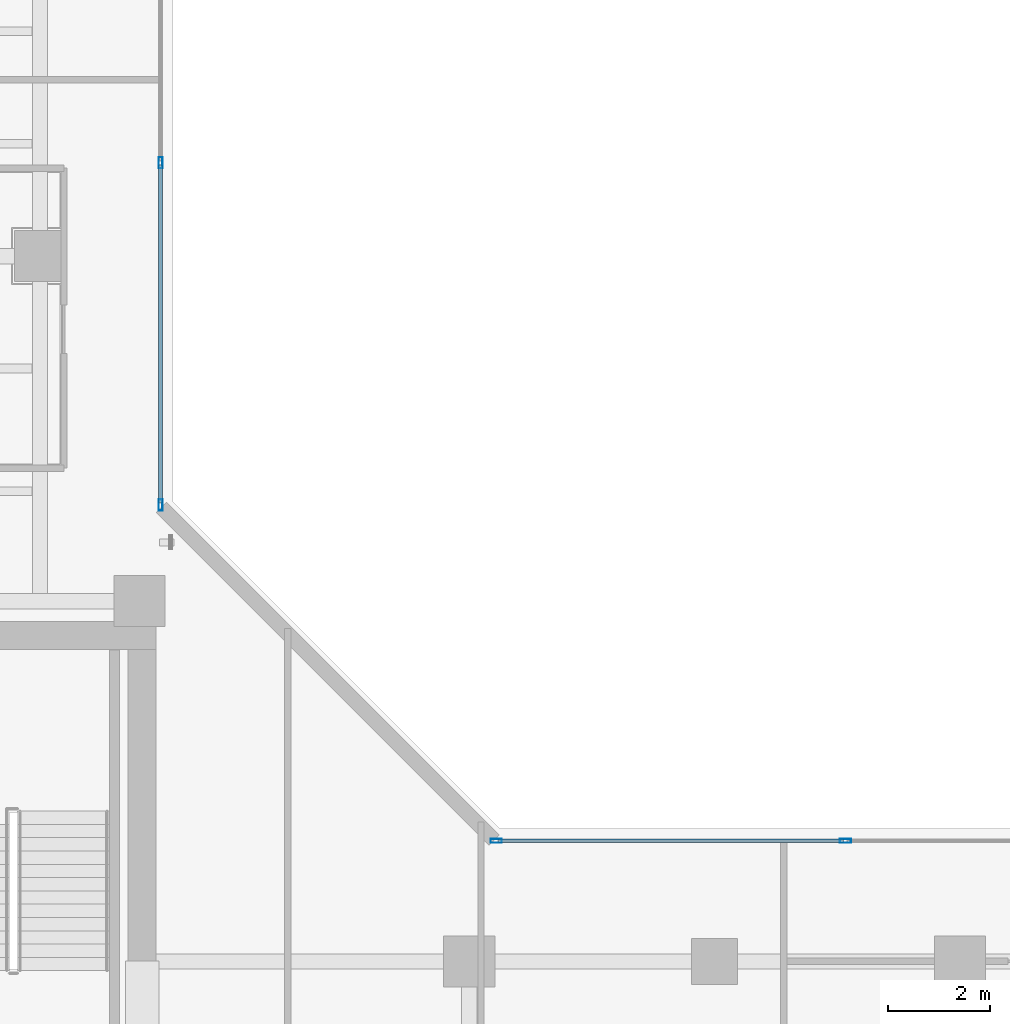
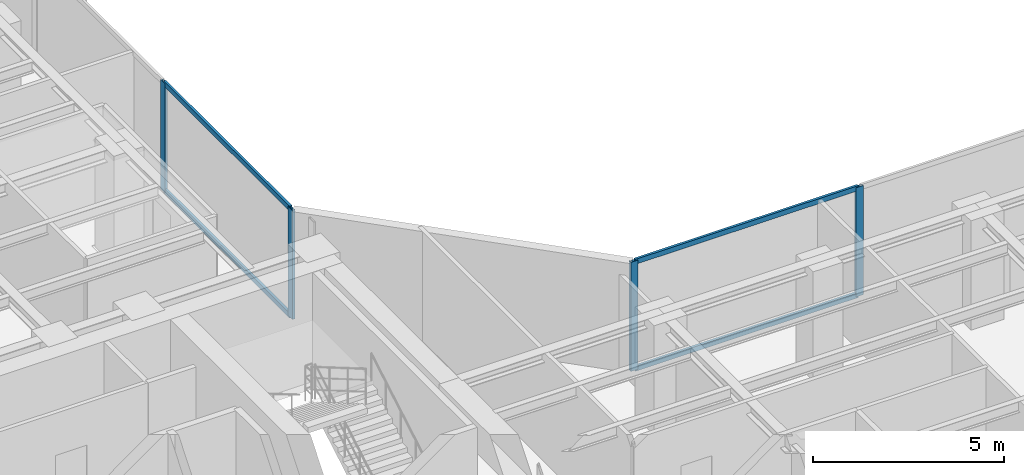
# One storey, part 10 of 22: 8 members, 2 elements without a shape of their own.
"""IFC4 building model written with IfcOpenShell, lengths in metres."""

from ifc_helpers import new_model, si_unit, direction, frame, origin, origin_with_axes, origin_2d, place, context, subcontext, project, spatial, hollow_rectangle, extrude, source, transform, mapped, material, layer, layer_set, material_profile, profile_set, type_object, element, aggregate, save


model = new_model("IFC4")

# Units and contexts
model_context = context("Model", 3, precision=1e-05, world=origin(), true_north=direction((0.0, 1.0)))
body_context = subcontext(model_context, "Body", "Model", "MODEL_VIEW")
ifc_project = project(units=[si_unit("LENGTHUNIT", "METRE"), si_unit("AREAUNIT", "SQUARE_METRE"), si_unit("VOLUMEUNIT", "CUBIC_METRE"), si_unit("PLANEANGLEUNIT", "RADIAN"), si_unit("MASSUNIT", "GRAM", prefix="KILO")], contexts=[model_context])

# Site, building, storey
site_placement = place(None, origin())
site = spatial("IfcSite", under=ifc_project, at=site_placement, CompositionType="ELEMENT")
building_placement = place(site_placement, origin())
building = spatial("IfcBuilding", under=site, at=building_placement, Name="Kolvaren Waterfront Exchange", CompositionType="ELEMENT")
storey_placement = place(building_placement, frame((0.0, 0.0, 219.699951171875)))
storey = spatial("IfcBuildingStorey", under=building, at=storey_placement, Name="L56", CompositionType="ELEMENT", Elevation=219.699951171875)

# Curtain wall, members
ifc_material_1 = material(Name="Anodised bronze aluminium 6063-T6", Category="aluminium")
ifc_layer = layer(ifc_material_1, 0.219970703125, Name="Anodised bronze aluminium 6063-T6")
ifc_layer_set = layer_set([ifc_layer], Name="Anodised bronze aluminium 6063-T6")
curtain_wall_type = type_object("IfcCurtainWallType", Name="ARC-CW-SYS1", PredefinedType="USERDEFINED", material=ifc_layer_set)
curtain_wall_1_placement = place(storey_placement, origin())
curtain_wall_1 = element("IfcCurtainWall", 1, at=curtain_wall_1_placement, inside=storey, type_object=curtain_wall_type, Name="L56 stick curtain wall CW1 (CW-L56-NE)", ObjectType="STICK CURTAIN WALL", PredefinedType="USERDEFINED")
ifc_material_2 = material(Name="Anodised aluminium 6063-T6", Category="aluminium")
ifc_material_profile_1 = material_profile(ifc_material_2, hollow_rectangle(XDim=0.080078125, YDim=0.219970703125, WallThickness=0.0048828125, at=origin_2d()), Name="ALU-MUL-220x80x5")
ifc_profile_set_1 = profile_set([ifc_material_profile_1], Name="Anodised aluminium 6063-T6")
member_type_1 = type_object("IfcMemberType", Name="ARC-CWM-220", PredefinedType="MULLION", material=ifc_profile_set_1)
shared_shape_1 = source(origin_with_axes(), body_context, "Body", "SweptSolid", [
    extrude(hollow_rectangle(XDim=0.080078125, YDim=0.219970703125, WallThickness=0.0048828125, at=origin_2d()), origin(), (0.0, 0.0, 1.0), 3.5),
])
member_1_placement = place(storey_placement, frame((21.159912109375, 26.330078125, 0.0), z_axis=(0.0, 0.0, 1.0), x_axis=(-1.0, 0.0, 0.0)))
member_1 = element("IfcMember", 2, at=member_1_placement, type_object=member_type_1, Name="CW1 mullion 1", PredefinedType="MULLION", context=body_context, shape_type="MappedRepresentation", body=[
    mapped(shared_shape_1, transform((0.0, 0.0, 0.0), x_axis=(1.0, 0.0, 0.0), y_axis=(0.0, 1.0, 0.0), z_axis=(0.0, 0.0, 1.0), scale=1.0)),
])
member_2_placement = place(storey_placement, frame((21.159912109375, 33.026611328125, 0.0), z_axis=(0.0, 0.0, 1.0), x_axis=(-1.0, 0.0, 0.0)))
member_2 = element("IfcMember", 3, at=member_2_placement, type_object=member_type_1, Name="CW1 mullion 2", PredefinedType="MULLION", context=body_context, shape_type="MappedRepresentation", body=[
    mapped(shared_shape_1, transform((0.0, 0.0, 0.0), x_axis=(1.0, 0.0, 0.0), y_axis=(0.0, 1.0, 0.0), z_axis=(0.0, 0.0, 1.0), scale=1.0)),
])

curtain_wall_2_placement = place(storey_placement, origin())
curtain_wall_2 = element("IfcCurtainWall", 4, at=curtain_wall_2_placement, inside=storey, type_object=curtain_wall_type, Name="L56 stick curtain wall CW1 (CW-L56-EN)", ObjectType="STICK CURTAIN WALL", PredefinedType="USERDEFINED")
member_3_placement = place(storey_placement, frame((27.72998046875, 19.760009765625, 0.0), z_axis=(0.0, 0.0, 1.0), x_axis=(0.0, 1.0, 0.0)))
member_3 = element("IfcMember", 5, at=member_3_placement, type_object=member_type_1, Name="CW1 mullion 1", PredefinedType="MULLION", context=body_context, shape_type="MappedRepresentation", body=[
    mapped(shared_shape_1, transform((0.0, 0.0, 0.0), x_axis=(1.0, 0.0, 0.0), y_axis=(0.0, 1.0, 0.0), z_axis=(0.0, 0.0, 1.0), scale=1.0)),
])
member_4_placement = place(storey_placement, frame((34.56005859375, 19.760009765625, 0.0), z_axis=(0.0, 0.0, 1.0), x_axis=(0.0, 1.0, 0.0)))
member_4 = element("IfcMember", 6, at=member_4_placement, type_object=member_type_1, Name="CW1 mullion 2", PredefinedType="MULLION", context=body_context, shape_type="MappedRepresentation", body=[
    mapped(shared_shape_1, transform((0.0, 0.0, 0.0), x_axis=(1.0, 0.0, 0.0), y_axis=(0.0, 1.0, 0.0), z_axis=(0.0, 0.0, 1.0), scale=1.0)),
])

# Member
ifc_material_profile_2 = material_profile(ifc_material_2, hollow_rectangle(XDim=0.074951171875, YDim=0.159912109375, WallThickness=0.00439453125, at=origin_2d()), Name="ALU-TRN-160x75x4.5")
ifc_profile_set_2 = profile_set([ifc_material_profile_2], Name="Anodised aluminium 6063-T6")
member_type_2 = type_object("IfcMemberType", Name="ARC-CWT-160", PredefinedType="USERDEFINED", material=ifc_profile_set_2)
shared_shape_2 = source(origin_with_axes(), body_context, "Body", "SweptSolid", [
    extrude(hollow_rectangle(XDim=0.074951171875, YDim=0.159912109375, WallThickness=0.00439453125, at=origin_2d()), origin(), (0.0, 0.0, 1.0), 6.616455078125),
])
member_5_placement = place(storey_placement, frame((21.159912109375, 26.3701171875, 0.03759765625), z_axis=(0.0, 1.0, 0.0), x_axis=(-1.0, 0.0, 0.0)))
member_5 = element("IfcMember", 7, at=member_5_placement, type_object=member_type_2, Name="CW1 transom 1.1", ObjectType="TRANSOM", PredefinedType="USERDEFINED", context=body_context, shape_type="MappedRepresentation", body=[
    mapped(shared_shape_2, transform((0.0, 0.0, 0.0), x_axis=(1.0, 0.0, 0.0), y_axis=(0.0, 1.0, 0.0), z_axis=(0.0, 0.0, 1.0), scale=1.0)),
])

member_6_placement = place(storey_placement, frame((21.159912109375, 26.3701171875, 3.462646484375), z_axis=(0.0, 1.0, 0.0), x_axis=(-1.0, 0.0, 0.0)))
member_6 = element("IfcMember", 8, at=member_6_placement, type_object=member_type_2, Name="CW1 transom 1.2", ObjectType="TRANSOM", PredefinedType="USERDEFINED", context=body_context, shape_type="MappedRepresentation", body=[
    mapped(shared_shape_2, transform((0.0, 0.0, 0.0), x_axis=(1.0, 0.0, 0.0), y_axis=(0.0, 1.0, 0.0), z_axis=(0.0, 0.0, 1.0), scale=1.0)),
])

aggregate(curtain_wall_1, [member_1, member_2, member_5, member_6])

shared_shape_3 = source(origin_with_axes(), body_context, "Body", "SweptSolid", [
    extrude(hollow_rectangle(XDim=0.074951171875, YDim=0.159912109375, WallThickness=0.00439453125, at=origin_2d()), origin(), (0.0, 0.0, 1.0), 6.75),
])
member_7_placement = place(storey_placement, frame((27.77001953125, 19.760009765625, 0.03759765625), z_axis=(1.0, 0.0, 0.0), x_axis=(0.0, 1.0, 0.0)))
member_7 = element("IfcMember", 9, at=member_7_placement, type_object=member_type_2, Name="CW1 transom 1.1", ObjectType="TRANSOM", PredefinedType="USERDEFINED", context=body_context, shape_type="MappedRepresentation", body=[
    mapped(shared_shape_3, transform((0.0, 0.0, 0.0), x_axis=(1.0, 0.0, 0.0), y_axis=(0.0, 1.0, 0.0), z_axis=(0.0, 0.0, 1.0), scale=1.0)),
])

member_8_placement = place(storey_placement, frame((27.77001953125, 19.760009765625, 3.462646484375), z_axis=(1.0, 0.0, 0.0), x_axis=(0.0, 1.0, 0.0)))
member_8 = element("IfcMember", 10, at=member_8_placement, type_object=member_type_2, Name="CW1 transom 1.2", ObjectType="TRANSOM", PredefinedType="USERDEFINED", context=body_context, shape_type="MappedRepresentation", body=[
    mapped(shared_shape_3, transform((0.0, 0.0, 0.0), x_axis=(1.0, 0.0, 0.0), y_axis=(0.0, 1.0, 0.0), z_axis=(0.0, 0.0, 1.0), scale=1.0)),
])

aggregate(curtain_wall_2, [member_3, member_4, member_7, member_8])

save(model, "model.ifc")
